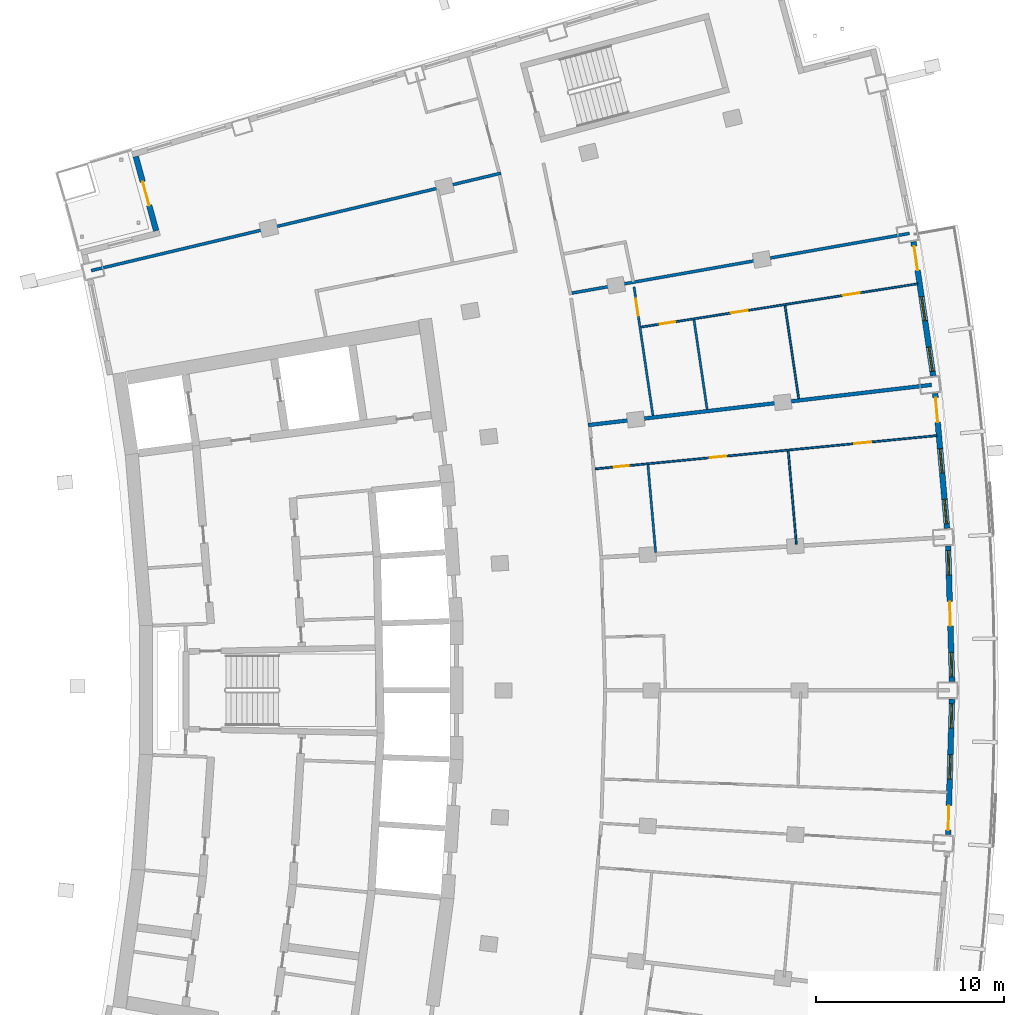
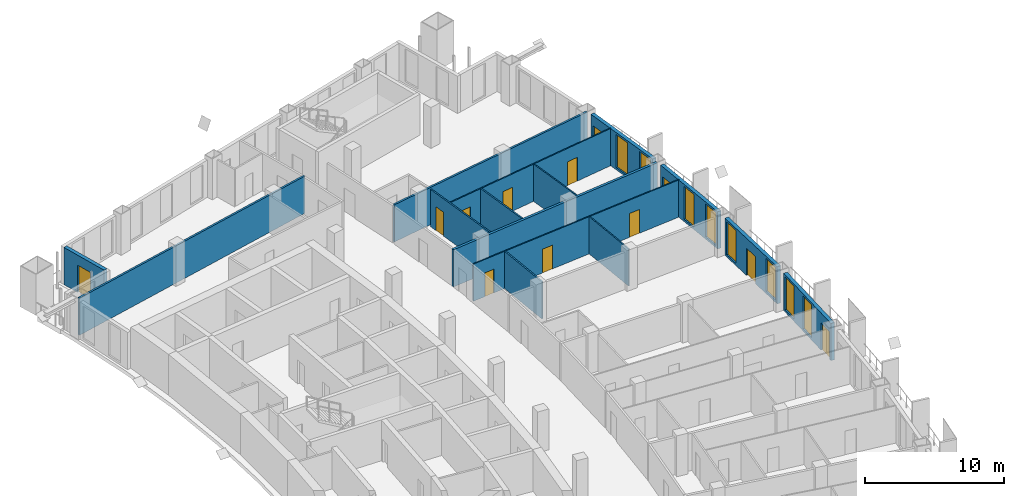
# One storey, part 15 of 20: 15 walls, 12 doors, 8 windows, 20 openings.
"""IFC4 building model written with IfcOpenShell, lengths in metres."""

from ifc_helpers import new_model, si_unit, direction, frame, frame_2d, origin, place, context, subcontext, project, spatial, rectangle, extrude, material, layer, layer_set, type_object, element, fill, save


model = new_model("IFC4")

# Units and contexts
model_context = context("Model", 3, precision=1e-05, world=origin(), true_north=direction((0.0, 1.0)))
body_context = subcontext(model_context, "Body", "Model", "MODEL_VIEW")
ifc_project = project(units=[si_unit("LENGTHUNIT", "METRE"), si_unit("AREAUNIT", "SQUARE_METRE"), si_unit("VOLUMEUNIT", "CUBIC_METRE"), si_unit("PLANEANGLEUNIT", "RADIAN"), si_unit("MASSUNIT", "GRAM", prefix="KILO")], contexts=[model_context])

# Site, building, storey
site_placement = place(None, origin())
site = spatial("IfcSite", under=ifc_project, at=site_placement, CompositionType="ELEMENT")
building_placement = place(site_placement, origin())
building = spatial("IfcBuilding", under=site, at=building_placement, Name="Alderwake Tower", CompositionType="ELEMENT")
storey_placement = place(building_placement, frame((0.0, 0.0, 167.60009765625)))
storey = spatial("IfcBuildingStorey", under=building, at=storey_placement, Name="L41", CompositionType="ELEMENT", Elevation=167.60009765625)

# Walls
ifc_material_1 = material(Name="Gypsum board on metal studs, rated")
ifc_layer_1 = layer(ifc_material_1, 0.159912109375)
ifc_layer_set_1 = layer_set([ifc_layer_1], Name="Corridor wall 160")
wall_type_1 = type_object("IfcWallType", Name="Corridor wall 160", PredefinedType="PARTITIONING", material=ifc_layer_set_1)
wall_1_placement = place(storey_placement, frame((13.884033203125, 83.31298828125, 0.0), z_axis=(0.0, 0.0, 1.0), x_axis=(0.972893462073, 0.231253781493, 0.0)))
element("IfcWall", 1, at=wall_1_placement, inside=storey, type_object=wall_type_1, Name="WL/L41/W11", PredefinedType="PARTITIONING", context=body_context, shape_type="SweptSolid", body=[
    extrude(rectangle(XDim=22.38037109375, YDim=0.159912109375, at=frame_2d((11.190185546875, 0.0))), origin(), (0.0, 0.0, 1.0), 3.27978515625),
])
wall_2_placement = place(storey_placement, frame((57.368896484375, 85.287109375, 0.0), z_axis=(0.0, 0.0, 1.0), x_axis=(-0.984728473355, -0.174097196314, 0.0)))
element("IfcWall", 2, at=wall_2_placement, inside=storey, type_object=wall_type_1, Name="WL/L41/W28", PredefinedType="PARTITIONING", context=body_context, shape_type="SweptSolid", body=[
    extrude(rectangle(XDim=18.220458984375, YDim=0.159912109375, at=frame_2d((9.1103515625, 0.0))), origin(), (0.0, 0.0, 1.0), 3.27978515625),
])

# Wall, openings, door, windows
ifc_material_2 = material(Name="Precast concrete C50/60 spandrel panel", Category="concrete")
ifc_layer_2 = layer(ifc_material_2, 0.300048828125)
ifc_layer_set_2 = layer_set([ifc_layer_2], Name="External wall EW1 Precast concrete C50/60 spandrel")
wall_type_2 = type_object("IfcWallType", Name="External wall EW1 Precast concrete C50/60 spandrel", PredefinedType="SOLIDWALL", material=ifc_layer_set_2)
wall_3_placement = place(storey_placement, frame((59.42626953125, 53.331298828125, 0.0), z_axis=(0.0, 0.0, 1.0), x_axis=(0.029165845971, 0.999574586226, 0.0)))
wall_3 = element("IfcWall", 3, at=wall_3_placement, inside=storey, type_object=wall_type_2, Name="External wall 15", PredefinedType="SOLIDWALL", context=body_context, shape_type="SweptSolid", body=[
    extrude(rectangle(XDim=7.198974609375, YDim=0.300048828125, at=frame_2d((3.599609375, 0.0))), origin(), (0.0, 0.0, 1.0), 3.27978515625),
])
opening_1_placement = place(wall_3_placement, frame((0.2392578125, 0.0, 0.0)))
opening_1 = element("IfcOpeningElement", 4, at=opening_1_placement, cuts=wall_3, Name="Opening D05", PredefinedType="OPENING", context=body_context, shape_type="SweptSolid", body=[
    extrude(rectangle(XDim=1.300048828125, YDim=2.39990234375, at=frame_2d((0.64990234375, 1.199951171875))), frame((0.0, 0.159912109375, 0.0), z_axis=(0.0, -1.0, 0.0), x_axis=(1.0, 0.0, 0.0)), (0.0, 0.0, 1.0), 0.320068359375),
])
opening_2_placement = place(wall_3_placement, frame((2.949462890625, 0.0, 0.199951171875)))
opening_2 = element("IfcOpeningElement", 5, at=opening_2_placement, cuts=wall_3, Name="Opening W1", PredefinedType="OPENING", context=body_context, shape_type="SweptSolid", body=[
    extrude(rectangle(XDim=1.300048828125, YDim=2.89990234375, at=frame_2d((0.64990234375, 1.449951171875))), frame((0.0, 0.159912109375, 0.0), z_axis=(0.0, -1.0, 0.0), x_axis=(1.0, 0.0, 0.0)), (0.0, 0.0, 1.0), 0.320068359375),
])
opening_3_placement = place(wall_3_placement, frame((5.65966796875, 0.0, 0.199951171875)))
opening_3 = element("IfcOpeningElement", 6, at=opening_3_placement, cuts=wall_3, Name="Opening W1", PredefinedType="OPENING", context=body_context, shape_type="SweptSolid", body=[
    extrude(rectangle(XDim=1.300048828125, YDim=2.89990234375, at=frame_2d((0.64990234375, 1.449951171875))), frame((0.0, 0.159912109375, 0.0), z_axis=(0.0, -1.0, 0.0), x_axis=(1.0, 0.0, 0.0)), (0.0, 0.0, 1.0), 0.320068359375),
])
ifc_material_3 = material(Name="Bronze tinted glass in aluminium frame", Category="aluminium")
door_type_1 = type_object("IfcDoorType", Name="Balcony door BD sliding", OperationType="SLIDING_TO_LEFT", PredefinedType="DOOR", material=ifc_material_3)
door_1_placement = place(opening_1_placement, origin())
door_1 = element("IfcDoor", 7, at=door_1_placement, inside=storey, type_object=door_type_1, Name="Door D05", OperationType="SLIDING_TO_LEFT", OverallHeight=2.39990234375, OverallWidth=1.300048828125, PredefinedType="DOOR", context=body_context, shape_type="SweptSolid", body=[
    extrude(rectangle(XDim=1.300048828125, YDim=2.39990234375, at=frame_2d((0.64990234375, 1.199951171875))), frame((0.0, 0.02490234375, 0.0), z_axis=(0.0, -1.0, 0.0), x_axis=(1.0, 0.0, 0.0)), (0.0, 0.0, 1.0), 0.050048828125),
])
fill(opening_1, door_1)
ifc_material_4 = material(Name="Bronze tinted glass in aluminium frame", Category="aluminium")
window_type = type_object("IfcWindowType", Name="Window W1 tall fixed and vent", PartitioningType="DOUBLE_PANEL_VERTICAL", PredefinedType="WINDOW", material=ifc_material_4)
window_1_placement = place(opening_2_placement, origin())
window_1 = element("IfcWindow", 8, at=window_1_placement, inside=storey, type_object=window_type, Name="Window W1 tall fixed and vent", OverallHeight=2.89990234375, OverallWidth=1.300048828125, PartitioningType="DOUBLE_PANEL_VERTICAL", PredefinedType="WINDOW", context=body_context, shape_type="SweptSolid", body=[
    extrude(rectangle(XDim=1.300048828125, YDim=2.89990234375, at=frame_2d((0.64990234375, 1.449951171875))), frame((0.0, 0.030029296875, 0.0), z_axis=(0.0, -1.0, 0.0), x_axis=(1.0, 0.0, 0.0)), (0.0, 0.0, 1.0), 0.06005859375),
])
fill(opening_2, window_1)
window_2_placement = place(opening_3_placement, origin())
window_2 = element("IfcWindow", 9, at=window_2_placement, inside=storey, type_object=window_type, Name="Window W1 tall fixed and vent", OverallHeight=2.89990234375, OverallWidth=1.300048828125, PartitioningType="DOUBLE_PANEL_VERTICAL", PredefinedType="WINDOW", context=body_context, shape_type="SweptSolid", body=[
    extrude(rectangle(XDim=1.300048828125, YDim=2.89990234375, at=frame_2d((0.64990234375, 1.449951171875))), frame((0.0, 0.030029296875, 0.0), z_axis=(0.0, -1.0, 0.0), x_axis=(1.0, 0.0, 0.0)), (0.0, 0.0, 1.0), 0.06005859375),
])
fill(opening_3, window_2)

wall_4_placement = place(storey_placement, frame((59.63623046875, 61.472900390625, 0.0), z_axis=(0.0, 0.0, 1.0), x_axis=(-0.029165845971, 0.999574586226, 0.0)))
wall_4 = element("IfcWall", 10, at=wall_4_placement, inside=storey, type_object=wall_type_2, Name="External wall 16", PredefinedType="SOLIDWALL", context=body_context, shape_type="SweptSolid", body=[
    extrude(rectangle(XDim=7.198974609375, YDim=0.300048828125, at=frame_2d((3.599609375, 0.0))), origin(), (0.0, 0.0, 1.0), 3.27978515625),
])
opening_4_placement = place(wall_4_placement, frame((0.2392578125, 0.0, 0.199951171875)))
opening_4 = element("IfcOpeningElement", 11, at=opening_4_placement, cuts=wall_4, Name="Opening W1", PredefinedType="OPENING", context=body_context, shape_type="SweptSolid", body=[
    extrude(rectangle(XDim=1.300048828125, YDim=2.89990234375, at=frame_2d((0.64990234375, 1.449951171875))), frame((0.0, 0.159912109375, 0.0), z_axis=(0.0, -1.0, 0.0), x_axis=(1.0, 0.0, 0.0)), (0.0, 0.0, 1.0), 0.320068359375),
])
opening_5_placement = place(wall_4_placement, frame((2.949462890625, 0.0, 0.0)))
opening_5 = element("IfcOpeningElement", 12, at=opening_5_placement, cuts=wall_4, Name="Opening D06", PredefinedType="OPENING", context=body_context, shape_type="SweptSolid", body=[
    extrude(rectangle(XDim=1.300048828125, YDim=2.39990234375, at=frame_2d((0.64990234375, 1.199951171875))), frame((0.0, 0.159912109375, 0.0), z_axis=(0.0, -1.0, 0.0), x_axis=(1.0, 0.0, 0.0)), (0.0, 0.0, 1.0), 0.320068359375),
])
opening_6_placement = place(wall_4_placement, frame((5.65966796875, 0.0, 0.199951171875)))
opening_6 = element("IfcOpeningElement", 13, at=opening_6_placement, cuts=wall_4, Name="Opening W1", PredefinedType="OPENING", context=body_context, shape_type="SweptSolid", body=[
    extrude(rectangle(XDim=1.300048828125, YDim=2.89990234375, at=frame_2d((0.64990234375, 1.449951171875))), frame((0.0, 0.159912109375, 0.0), z_axis=(0.0, -1.0, 0.0), x_axis=(1.0, 0.0, 0.0)), (0.0, 0.0, 1.0), 0.320068359375),
])
door_2_placement = place(opening_5_placement, origin())
door_2 = element("IfcDoor", 14, at=door_2_placement, inside=storey, type_object=door_type_1, Name="Door D06", OperationType="SLIDING_TO_LEFT", OverallHeight=2.39990234375, OverallWidth=1.300048828125, PredefinedType="DOOR", context=body_context, shape_type="SweptSolid", body=[
    extrude(rectangle(XDim=1.300048828125, YDim=2.39990234375, at=frame_2d((0.64990234375, 1.199951171875))), frame((0.0, 0.02490234375, 0.0), z_axis=(0.0, -1.0, 0.0), x_axis=(1.0, 0.0, 0.0)), (0.0, 0.0, 1.0), 0.050048828125),
])
fill(opening_5, door_2)
window_3_placement = place(opening_4_placement, origin())
window_3 = element("IfcWindow", 15, at=window_3_placement, inside=storey, type_object=window_type, Name="Window W1 tall fixed and vent", OverallHeight=2.89990234375, OverallWidth=1.300048828125, PartitioningType="DOUBLE_PANEL_VERTICAL", PredefinedType="WINDOW", context=body_context, shape_type="SweptSolid", body=[
    extrude(rectangle(XDim=1.300048828125, YDim=2.89990234375, at=frame_2d((0.64990234375, 1.449951171875))), frame((0.0, 0.030029296875, 0.0), z_axis=(0.0, -1.0, 0.0), x_axis=(1.0, 0.0, 0.0)), (0.0, 0.0, 1.0), 0.06005859375),
])
fill(opening_4, window_3)
window_4_placement = place(opening_6_placement, origin())
window_4 = element("IfcWindow", 16, at=window_4_placement, inside=storey, type_object=window_type, Name="Window W1 tall fixed and vent", OverallHeight=2.89990234375, OverallWidth=1.300048828125, PartitioningType="DOUBLE_PANEL_VERTICAL", PredefinedType="WINDOW", context=body_context, shape_type="SweptSolid", body=[
    extrude(rectangle(XDim=1.300048828125, YDim=2.89990234375, at=frame_2d((0.64990234375, 1.449951171875))), frame((0.0, 0.030029296875, 0.0), z_axis=(0.0, -1.0, 0.0), x_axis=(1.0, 0.0, 0.0)), (0.0, 0.0, 1.0), 0.06005859375),
])
fill(opening_6, window_4)

wall_5_placement = place(storey_placement, frame((59.37109375, 69.613037109375, 0.0), z_axis=(0.0, 0.0, 1.0), x_axis=(-0.087397918497, 0.996173480797, 0.0)))
wall_5 = element("IfcWall", 17, at=wall_5_placement, inside=storey, type_object=wall_type_2, Name="External wall 17", PredefinedType="SOLIDWALL", context=body_context, shape_type="SweptSolid", body=[
    extrude(rectangle(XDim=7.19873046875, YDim=0.300048828125, at=frame_2d((3.599365234375, 0.0))), origin(), (0.0, 0.0, 1.0), 3.27978515625),
])
opening_7_placement = place(wall_5_placement, frame((0.2392578125, 0.0, 0.199951171875)))
opening_7 = element("IfcOpeningElement", 18, at=opening_7_placement, cuts=wall_5, Name="Opening W1", PredefinedType="OPENING", context=body_context, shape_type="SweptSolid", body=[
    extrude(rectangle(XDim=1.300048828125, YDim=2.89990234375, at=frame_2d((0.64990234375, 1.449951171875))), frame((0.0, 0.159912109375, 0.0), z_axis=(0.0, -1.0, 0.0), x_axis=(1.0, 0.0, 0.0)), (0.0, 0.0, 1.0), 0.320068359375),
])
opening_8_placement = place(wall_5_placement, frame((2.949462890625, 0.0, 0.199951171875)))
opening_8 = element("IfcOpeningElement", 19, at=opening_8_placement, cuts=wall_5, Name="Opening W1", PredefinedType="OPENING", context=body_context, shape_type="SweptSolid", body=[
    extrude(rectangle(XDim=1.300048828125, YDim=2.89990234375, at=frame_2d((0.64990234375, 1.449951171875))), frame((0.0, 0.159912109375, 0.0), z_axis=(0.0, -1.0, 0.0), x_axis=(1.0, 0.0, 0.0)), (0.0, 0.0, 1.0), 0.320068359375),
])
opening_9_placement = place(wall_5_placement, frame((5.65966796875, 0.0, 0.0)))
opening_9 = element("IfcOpeningElement", 20, at=opening_9_placement, cuts=wall_5, Name="Opening D07", PredefinedType="OPENING", context=body_context, shape_type="SweptSolid", body=[
    extrude(rectangle(XDim=1.300048828125, YDim=2.39990234375, at=frame_2d((0.64990234375, 1.199951171875))), frame((0.0, 0.159912109375, 0.0), z_axis=(0.0, -1.0, 0.0), x_axis=(1.0, 0.0, 0.0)), (0.0, 0.0, 1.0), 0.320068359375),
])
door_3_placement = place(opening_9_placement, origin())
door_3 = element("IfcDoor", 21, at=door_3_placement, inside=storey, type_object=door_type_1, Name="Door D07", OperationType="SLIDING_TO_LEFT", OverallHeight=2.39990234375, OverallWidth=1.300048828125, PredefinedType="DOOR", context=body_context, shape_type="SweptSolid", body=[
    extrude(rectangle(XDim=1.300048828125, YDim=2.39990234375, at=frame_2d((0.64990234375, 1.199951171875))), frame((0.0, 0.02490234375, 0.0), z_axis=(0.0, -1.0, 0.0), x_axis=(1.0, 0.0, 0.0)), (0.0, 0.0, 1.0), 0.050048828125),
])
fill(opening_9, door_3)
window_5_placement = place(opening_7_placement, origin())
window_5 = element("IfcWindow", 22, at=window_5_placement, inside=storey, type_object=window_type, Name="Window W1 tall fixed and vent", OverallHeight=2.89990234375, OverallWidth=1.300048828125, PartitioningType="DOUBLE_PANEL_VERTICAL", PredefinedType="WINDOW", context=body_context, shape_type="SweptSolid", body=[
    extrude(rectangle(XDim=1.300048828125, YDim=2.89990234375, at=frame_2d((0.64990234375, 1.449951171875))), frame((0.0, 0.030029296875, 0.0), z_axis=(0.0, -1.0, 0.0), x_axis=(1.0, 0.0, 0.0)), (0.0, 0.0, 1.0), 0.06005859375),
])
fill(opening_7, window_5)
window_6_placement = place(opening_8_placement, origin())
window_6 = element("IfcWindow", 23, at=window_6_placement, inside=storey, type_object=window_type, Name="Window W1 tall fixed and vent", OverallHeight=2.89990234375, OverallWidth=1.300048828125, PartitioningType="DOUBLE_PANEL_VERTICAL", PredefinedType="WINDOW", context=body_context, shape_type="SweptSolid", body=[
    extrude(rectangle(XDim=1.300048828125, YDim=2.89990234375, at=frame_2d((0.64990234375, 1.449951171875))), frame((0.0, 0.030029296875, 0.0), z_axis=(0.0, -1.0, 0.0), x_axis=(1.0, 0.0, 0.0)), (0.0, 0.0, 1.0), 0.06005859375),
])
fill(opening_8, window_6)

wall_6_placement = place(storey_placement, frame((58.6318359375, 77.7236328125, 0.0), z_axis=(0.0, 0.0, 1.0), x_axis=(-0.145318248107, 0.989384963888, 0.0)))
wall_6 = element("IfcWall", 24, at=wall_6_placement, inside=storey, type_object=wall_type_2, Name="External wall 18", PredefinedType="SOLIDWALL", context=body_context, shape_type="SweptSolid", body=[
    extrude(rectangle(XDim=7.198974609375, YDim=0.300048828125, at=frame_2d((3.599609375, 0.0))), origin(), (0.0, 0.0, 1.0), 3.27978515625),
])
opening_10_placement = place(wall_6_placement, frame((0.2392578125, 0.0, 0.199951171875)))
opening_10 = element("IfcOpeningElement", 25, at=opening_10_placement, cuts=wall_6, Name="Opening W1", PredefinedType="OPENING", context=body_context, shape_type="SweptSolid", body=[
    extrude(rectangle(XDim=1.300048828125, YDim=2.89990234375, at=frame_2d((0.64990234375, 1.449951171875))), frame((0.0, 0.159912109375, 0.0), z_axis=(0.0, -1.0, 0.0), x_axis=(1.0, 0.0, 0.0)), (0.0, 0.0, 1.0), 0.320068359375),
])
opening_11_placement = place(wall_6_placement, frame((2.949462890625, 0.0, 0.199951171875)))
opening_11 = element("IfcOpeningElement", 26, at=opening_11_placement, cuts=wall_6, Name="Opening W1", PredefinedType="OPENING", context=body_context, shape_type="SweptSolid", body=[
    extrude(rectangle(XDim=1.300048828125, YDim=2.89990234375, at=frame_2d((0.64990234375, 1.449951171875))), frame((0.0, 0.159912109375, 0.0), z_axis=(0.0, -1.0, 0.0), x_axis=(1.0, 0.0, 0.0)), (0.0, 0.0, 1.0), 0.320068359375),
])
opening_12_placement = place(wall_6_placement, frame((5.65966796875, 0.0, 0.0)))
opening_12 = element("IfcOpeningElement", 27, at=opening_12_placement, cuts=wall_6, Name="Opening D08", PredefinedType="OPENING", context=body_context, shape_type="SweptSolid", body=[
    extrude(rectangle(XDim=1.300048828125, YDim=2.39990234375, at=frame_2d((0.64990234375, 1.199951171875))), frame((0.0, 0.159912109375, 0.0), z_axis=(0.0, -1.0, 0.0), x_axis=(1.0, 0.0, 0.0)), (0.0, 0.0, 1.0), 0.320068359375),
])
door_4_placement = place(opening_12_placement, origin())
door_4 = element("IfcDoor", 28, at=door_4_placement, inside=storey, type_object=door_type_1, Name="Door D08", OperationType="SLIDING_TO_LEFT", OverallHeight=2.39990234375, OverallWidth=1.300048828125, PredefinedType="DOOR", context=body_context, shape_type="SweptSolid", body=[
    extrude(rectangle(XDim=1.300048828125, YDim=2.39990234375, at=frame_2d((0.64990234375, 1.199951171875))), frame((0.0, 0.02490234375, 0.0), z_axis=(0.0, -1.0, 0.0), x_axis=(1.0, 0.0, 0.0)), (0.0, 0.0, 1.0), 0.050048828125),
])
fill(opening_12, door_4)
window_7_placement = place(opening_10_placement, origin())
window_7 = element("IfcWindow", 29, at=window_7_placement, inside=storey, type_object=window_type, Name="Window W1 tall fixed and vent", OverallHeight=2.89990234375, OverallWidth=1.300048828125, PartitioningType="DOUBLE_PANEL_VERTICAL", PredefinedType="WINDOW", context=body_context, shape_type="SweptSolid", body=[
    extrude(rectangle(XDim=1.300048828125, YDim=2.89990234375, at=frame_2d((0.64990234375, 1.449951171875))), frame((0.0, 0.030029296875, 0.0), z_axis=(0.0, -1.0, 0.0), x_axis=(1.0, 0.0, 0.0)), (0.0, 0.0, 1.0), 0.06005859375),
])
fill(opening_10, window_7)
window_8_placement = place(opening_11_placement, origin())
window_8 = element("IfcWindow", 30, at=window_8_placement, inside=storey, type_object=window_type, Name="Window W1 tall fixed and vent", OverallHeight=2.89990234375, OverallWidth=1.300048828125, PartitioningType="DOUBLE_PANEL_VERTICAL", PredefinedType="WINDOW", context=body_context, shape_type="SweptSolid", body=[
    extrude(rectangle(XDim=1.300048828125, YDim=2.89990234375, at=frame_2d((0.64990234375, 1.449951171875))), frame((0.0, 0.030029296875, 0.0), z_axis=(0.0, -1.0, 0.0), x_axis=(1.0, 0.0, 0.0)), (0.0, 0.0, 1.0), 0.06005859375),
])
fill(opening_11, window_8)

# Wall, opening, door
ifc_material_5 = material(Name="Bronze metal cladding on lightweight framing")
ifc_layer_3 = layer(ifc_material_5, 0.300048828125)
ifc_layer_set_3 = layer_set([ifc_layer_3], Name="External wall EW2 bronze metal cladding")
wall_type_3 = type_object("IfcWallType", Name="External wall EW2 bronze metal cladding", PredefinedType="SOLIDWALL", material=ifc_layer_set_3)
wall_7_placement = place(storey_placement, frame((16.248779296875, 89.374755859375, 0.0), z_axis=(0.0, 0.0, 1.0), x_axis=(0.264607053468, -0.964356317579, 0.0)))
wall_7 = element("IfcWall", 31, at=wall_7_placement, inside=storey, type_object=wall_type_3, Name="External wall 28", PredefinedType="SOLIDWALL", context=body_context, shape_type="SweptSolid", body=[
    extrude(rectangle(XDim=4.090087890625, YDim=0.300048828125, at=frame_2d((2.044921875, 0.0))), origin(), (0.0, 0.0, 1.0), 3.27978515625),
])
opening_13_placement = place(wall_7_placement, frame((1.39501953125, 0.0, 0.0)))
opening_13 = element("IfcOpeningElement", 32, at=opening_13_placement, cuts=wall_7, Name="Opening D09", PredefinedType="OPENING", context=body_context, shape_type="SweptSolid", body=[
    extrude(rectangle(XDim=1.300048828125, YDim=2.39990234375, at=frame_2d((0.64990234375, 1.199951171875))), frame((0.0, 0.159912109375, 0.0), z_axis=(0.0, -1.0, 0.0), x_axis=(1.0, 0.0, 0.0)), (0.0, 0.0, 1.0), 0.320068359375),
])
door_5_placement = place(opening_13_placement, origin())
door_5 = element("IfcDoor", 33, at=door_5_placement, inside=storey, type_object=door_type_1, Name="Door D09", OperationType="SLIDING_TO_LEFT", OverallHeight=2.39990234375, OverallWidth=1.300048828125, PredefinedType="DOOR", context=body_context, shape_type="SweptSolid", body=[
    extrude(rectangle(XDim=1.300048828125, YDim=2.39990234375, at=frame_2d((0.64990234375, 1.199951171875))), frame((0.0, 0.02490234375, 0.0), z_axis=(0.0, -1.0, 0.0), x_axis=(1.0, 0.0, 0.0)), (0.0, 0.0, 1.0), 0.050048828125),
])
fill(opening_13, door_5)

# Wall
ifc_material_6 = material(Name="Dense block masonry wall", Category="masonry")
ifc_layer_4 = layer(ifc_material_6, 0.199951171875)
ifc_layer_set_4 = layer_set([ifc_layer_4], Name="Party wall 200")
wall_type_4 = type_object("IfcWallType", Name="Party wall 200", PredefinedType="SOLIDWALL", material=ifc_layer_set_4)
wall_8_placement = place(storey_placement, frame((40.297607421875, 75.0986328125, 0.0), z_axis=(0.0, 0.0, 1.0), x_axis=(0.993201379806, 0.116408844812, 0.0)))
element("IfcWall", 34, at=wall_8_placement, inside=storey, type_object=wall_type_4, Name="WL/L41/W02", PredefinedType="SOLIDWALL", context=body_context, shape_type="SweptSolid", body=[
    extrude(rectangle(XDim=18.37841796875, YDim=0.199951171875, at=frame_2d((9.189208984375, 0.0))), origin(), (0.0, 0.0, 1.0), 3.27978515625),
])

# Wall, openings, doors
ifc_material_7 = material(Name="Gypsum board on metal studs")
ifc_layer_5 = layer(ifc_material_7, 0.10009765625)
ifc_layer_set_5 = layer_set([ifc_layer_5], Name="Unit partition 100")
wall_type_5 = type_object("IfcWallType", Name="Unit partition 100", PredefinedType="PARTITIONING", material=ifc_layer_set_5)
wall_9_placement = place(storey_placement, frame((58.839111328125, 74.541015625, 0.0), z_axis=(0.0, 0.0, 1.0), x_axis=(-0.995286630544, -0.096976920246, 0.0)))
wall_9 = element("IfcWall", 35, at=wall_9_placement, inside=storey, type_object=wall_type_5, Name="WL/L41/W44", PredefinedType="PARTITIONING", context=body_context, shape_type="SweptSolid", body=[
    extrude(rectangle(XDim=18.2646484375, YDim=0.10009765625, at=frame_2d((9.13232421875, 0.0))), origin(), (0.0, 0.0, 1.0), 3.27978515625),
])
opening_14_placement = place(wall_9_placement, frame((11.247802734375, 0.0, 0.0)))
opening_14 = element("IfcOpeningElement", 36, at=opening_14_placement, cuts=wall_9, Name="Opening R11-U07.1", PredefinedType="OPENING", context=body_context, shape_type="SweptSolid", body=[
    extrude(rectangle(XDim=0.89990234375, YDim=2.10009765625, at=frame_2d((0.449951171875, 1.050048828125))), frame((0.0, 0.06005859375, 0.0), z_axis=(0.0, -1.0, 0.0), x_axis=(1.0, 0.0, 0.0)), (0.0, 0.0, 1.0), 0.1201171875),
])
opening_15_placement = place(wall_9_placement, frame((16.45458984375, 0.0, 0.0)))
opening_15 = element("IfcOpeningElement", 37, at=opening_15_placement, cuts=wall_9, Name="Opening R11-U07.3", PredefinedType="OPENING", context=body_context, shape_type="SweptSolid", body=[
    extrude(rectangle(XDim=0.800048828125, YDim=2.10009765625, at=frame_2d((0.39990234375, 1.050048828125))), frame((0.0, 0.06005859375, 0.0), z_axis=(0.0, -1.0, 0.0), x_axis=(1.0, 0.0, 0.0)), (0.0, 0.0, 1.0), 0.1201171875),
])
opening_16_placement = place(wall_9_placement, frame((3.526123046875, 0.0, 0.0)))
opening_16 = element("IfcOpeningElement", 38, at=opening_16_placement, cuts=wall_9, Name="Opening R11-U07.4", PredefinedType="OPENING", context=body_context, shape_type="SweptSolid", body=[
    extrude(rectangle(XDim=0.89990234375, YDim=2.10009765625, at=frame_2d((0.449951171875, 1.050048828125))), frame((0.0, 0.06005859375, 0.0), z_axis=(0.0, -1.0, 0.0), x_axis=(1.0, 0.0, 0.0)), (0.0, 0.0, 1.0), 0.1201171875),
])
ifc_material_8 = material(Name="Painted timber leaf", Category="wood")
door_type_2 = type_object("IfcDoorType", Name="Bathroom door 800", OperationType="SINGLE_SWING_LEFT", PredefinedType="DOOR", material=ifc_material_8)
door_6_placement = place(opening_15_placement, origin())
door_6 = element("IfcDoor", 39, at=door_6_placement, inside=storey, type_object=door_type_2, Name="DR/L41/U07.3", OperationType="SINGLE_SWING_LEFT", OverallHeight=2.10009765625, OverallWidth=0.800048828125, PredefinedType="DOOR", context=body_context, shape_type="SweptSolid", body=[
    extrude(rectangle(XDim=0.800048828125, YDim=2.10009765625, at=frame_2d((0.39990234375, 1.050048828125))), frame((0.0, 0.02490234375, 0.0), z_axis=(0.0, -1.0, 0.0), x_axis=(1.0, 0.0, 0.0)), (0.0, 0.0, 1.0), 0.050048828125),
])
fill(opening_15, door_6)
ifc_material_9 = material(Name="Painted timber leaf", Category="wood")
door_type_3 = type_object("IfcDoorType", Name="Room door 900", OperationType="SINGLE_SWING_LEFT", PredefinedType="DOOR", material=ifc_material_9)
door_7_placement = place(opening_14_placement, origin())
door_7 = element("IfcDoor", 40, at=door_7_placement, inside=storey, type_object=door_type_3, Name="DR/L41/U07.1", OperationType="SINGLE_SWING_LEFT", OverallHeight=2.10009765625, OverallWidth=0.89990234375, PredefinedType="DOOR", context=body_context, shape_type="SweptSolid", body=[
    extrude(rectangle(XDim=0.89990234375, YDim=2.10009765625, at=frame_2d((0.449951171875, 1.050048828125))), frame((0.0, 0.02490234375, 0.0), z_axis=(0.0, -1.0, 0.0), x_axis=(1.0, 0.0, 0.0)), (0.0, 0.0, 1.0), 0.050048828125),
])
fill(opening_14, door_7)
door_8_placement = place(opening_16_placement, origin())
door_8 = element("IfcDoor", 41, at=door_8_placement, inside=storey, type_object=door_type_3, Name="DR/L41/U07.4", OperationType="SINGLE_SWING_LEFT", OverallHeight=2.10009765625, OverallWidth=0.89990234375, PredefinedType="DOOR", context=body_context, shape_type="SweptSolid", body=[
    extrude(rectangle(XDim=0.89990234375, YDim=2.10009765625, at=frame_2d((0.449951171875, 1.050048828125))), frame((0.0, 0.02490234375, 0.0), z_axis=(0.0, -1.0, 0.0), x_axis=(1.0, 0.0, 0.0)), (0.0, 0.0, 1.0), 0.050048828125),
])
fill(opening_16, door_8)

wall_10_placement = place(storey_placement, frame((57.81298828125, 82.611083984375, 0.0), z_axis=(0.0, 0.0, 1.0), x_axis=(-0.987947676948, -0.154788202432, 0.0)))
wall_10 = element("IfcWall", 42, at=wall_10_placement, inside=storey, type_object=wall_type_5, Name="WL/L41/W47", PredefinedType="PARTITIONING", context=body_context, shape_type="SweptSolid", body=[
    extrude(rectangle(XDim=14.883056640625, YDim=0.10009765625, at=frame_2d((7.44140625, 0.0))), origin(), (0.0, 0.0, 1.0), 3.27978515625),
])
opening_17_placement = place(wall_10_placement, frame((9.147216796875, 0.0, 0.0)))
opening_17 = element("IfcOpeningElement", 43, at=opening_17_placement, cuts=wall_10, Name="Opening R11-U08.1", PredefinedType="OPENING", context=body_context, shape_type="SweptSolid", body=[
    extrude(rectangle(XDim=0.89990234375, YDim=2.10009765625, at=frame_2d((0.449951171875, 1.050048828125))), frame((0.0, 0.06005859375, 0.0), z_axis=(0.0, -1.0, 0.0), x_axis=(1.0, 0.0, 0.0)), (0.0, 0.0, 1.0), 0.1201171875),
])
opening_18_placement = place(wall_10_placement, frame((13.064208984375, 0.0, 0.0)))
opening_18 = element("IfcOpeningElement", 44, at=opening_18_placement, cuts=wall_10, Name="Opening R11-U08.4", PredefinedType="OPENING", context=body_context, shape_type="SweptSolid", body=[
    extrude(rectangle(XDim=0.800048828125, YDim=2.10009765625, at=frame_2d((0.39990234375, 1.050048828125))), frame((0.0, 0.06005859375, 0.0), z_axis=(0.0, -1.0, 0.0), x_axis=(1.0, 0.0, 0.0)), (0.0, 0.0, 1.0), 0.1201171875),
])
opening_19_placement = place(wall_10_placement, frame((3.124755859375, 0.0, 0.0)))
opening_19 = element("IfcOpeningElement", 45, at=opening_19_placement, cuts=wall_10, Name="Opening R11-U08.5", PredefinedType="OPENING", context=body_context, shape_type="SweptSolid", body=[
    extrude(rectangle(XDim=0.89990234375, YDim=2.10009765625, at=frame_2d((0.449951171875, 1.050048828125))), frame((0.0, 0.06005859375, 0.0), z_axis=(0.0, -1.0, 0.0), x_axis=(1.0, 0.0, 0.0)), (0.0, 0.0, 1.0), 0.1201171875),
])
door_9_placement = place(opening_18_placement, origin())
door_9 = element("IfcDoor", 46, at=door_9_placement, inside=storey, type_object=door_type_2, Name="DR/L41/U08.4", OperationType="SINGLE_SWING_LEFT", OverallHeight=2.10009765625, OverallWidth=0.800048828125, PredefinedType="DOOR", context=body_context, shape_type="SweptSolid", body=[
    extrude(rectangle(XDim=0.800048828125, YDim=2.10009765625, at=frame_2d((0.39990234375, 1.050048828125))), frame((0.0, 0.02490234375, 0.0), z_axis=(0.0, -1.0, 0.0), x_axis=(1.0, 0.0, 0.0)), (0.0, 0.0, 1.0), 0.050048828125),
])
fill(opening_18, door_9)
door_10_placement = place(opening_17_placement, origin())
door_10 = element("IfcDoor", 47, at=door_10_placement, inside=storey, type_object=door_type_3, Name="DR/L41/U08.1", OperationType="SINGLE_SWING_LEFT", OverallHeight=2.10009765625, OverallWidth=0.89990234375, PredefinedType="DOOR", context=body_context, shape_type="SweptSolid", body=[
    extrude(rectangle(XDim=0.89990234375, YDim=2.10009765625, at=frame_2d((0.449951171875, 1.050048828125))), frame((0.0, 0.02490234375, 0.0), z_axis=(0.0, -1.0, 0.0), x_axis=(1.0, 0.0, 0.0)), (0.0, 0.0, 1.0), 0.050048828125),
])
fill(opening_17, door_10)
door_11_placement = place(opening_19_placement, origin())
door_11 = element("IfcDoor", 48, at=door_11_placement, inside=storey, type_object=door_type_3, Name="DR/L41/U08.5", OperationType="SINGLE_SWING_LEFT", OverallHeight=2.10009765625, OverallWidth=0.89990234375, PredefinedType="DOOR", context=body_context, shape_type="SweptSolid", body=[
    extrude(rectangle(XDim=0.89990234375, YDim=2.10009765625, at=frame_2d((0.449951171875, 1.050048828125))), frame((0.0, 0.02490234375, 0.0), z_axis=(0.0, -1.0, 0.0), x_axis=(1.0, 0.0, 0.0)), (0.0, 0.0, 1.0), 0.050048828125),
])
fill(opening_19, door_11)

# Walls
wall_11_placement = place(storey_placement, frame((51.36328125, 68.772705078125, 0.0), z_axis=(0.0, 0.0, 1.0), x_axis=(-0.087352937881, 0.996177426086, 0.0)))
element("IfcWall", 49, at=wall_11_placement, inside=storey, type_object=wall_type_5, Name="WL/L41/W52", PredefinedType="PARTITIONING", context=body_context, shape_type="SweptSolid", body=[
    extrude(rectangle(XDim=4.966552734375, YDim=0.10009765625, at=frame_2d((2.4833984375, 0.0))), origin(), (0.0, 0.0, 1.0), 3.27978515625),
])
wall_12_placement = place(storey_placement, frame((51.4833984375, 76.509033203125, 0.0), z_axis=(0.0, 0.0, 1.0), x_axis=(-0.14506509727, 0.98942211293, 0.0)))
element("IfcWall", 50, at=wall_12_placement, inside=storey, type_object=wall_type_5, Name="WL/L41/W54", PredefinedType="PARTITIONING", context=body_context, shape_type="SweptSolid", body=[
    extrude(rectangle(XDim=4.99853515625, YDim=0.10009765625, at=frame_2d((2.499267578125, 0.0))), origin(), (0.0, 0.0, 1.0), 3.27978515625),
])

# Wall, opening, door
ifc_material_10 = material(Name="Moisture resistant gypsum board on metal studs")
ifc_layer_6 = layer(ifc_material_10, 0.1201171875)
ifc_layer_set_6 = layer_set([ifc_layer_6], Name="Wet room partition 120")
wall_type_6 = type_object("IfcWallType", Name="Wet room partition 120", PredefinedType="PARTITIONING", material=ifc_layer_set_6)
wall_13_placement = place(storey_placement, frame((42.732421875, 82.44775390625, 0.0), z_axis=(0.0, 0.0, 1.0), x_axis=(0.14528876176, -0.989389294316, 0.0)))
wall_13 = element("IfcWall", 51, at=wall_13_placement, inside=storey, type_object=wall_type_6, Name="WL/L41/W35", PredefinedType="PARTITIONING", context=body_context, shape_type="SweptSolid", body=[
    extrude(rectangle(XDim=6.918212890625, YDim=0.1201171875, at=frame_2d((3.458984375, 0.0))), origin(), (0.0, 0.0, 1.0), 3.27978515625),
])
opening_20_placement = place(wall_13_placement, frame((0.63671875, 0.0, 0.0)))
opening_20 = element("IfcOpeningElement", 52, at=opening_20_placement, cuts=wall_13, Name="Opening R11-U08.3", PredefinedType="OPENING", context=body_context, shape_type="SweptSolid", body=[
    extrude(rectangle(XDim=0.89990234375, YDim=2.10009765625, at=frame_2d((0.449951171875, 1.050048828125))), frame((0.0, 0.070068359375, 0.0), z_axis=(0.0, -1.0, 0.0), x_axis=(1.0, 0.0, 0.0)), (0.0, 0.0, 1.0), 0.14013671875),
])
door_12_placement = place(opening_20_placement, origin())
door_12 = element("IfcDoor", 53, at=door_12_placement, inside=storey, type_object=door_type_3, Name="DR/L41/U08.3", OperationType="SINGLE_SWING_LEFT", OverallHeight=2.10009765625, OverallWidth=0.89990234375, PredefinedType="DOOR", context=body_context, shape_type="SweptSolid", body=[
    extrude(rectangle(XDim=0.89990234375, YDim=2.10009765625, at=frame_2d((0.449951171875, 1.050048828125))), frame((0.0, 0.02490234375, 0.0), z_axis=(0.0, -1.0, 0.0), x_axis=(1.0, 0.0, 0.0)), (0.0, 0.0, 1.0), 0.050048828125),
])
fill(opening_20, door_12)

# Walls
wall_14_placement = place(storey_placement, frame((43.881103515625, 68.334716796875, 0.0), z_axis=(0.0, 0.0, 1.0), x_axis=(-0.087639255618, 0.996152277955, 0.0)))
element("IfcWall", 54, at=wall_14_placement, inside=storey, type_object=wall_type_6, Name="WL/L41/W37", PredefinedType="PARTITIONING", context=body_context, shape_type="SweptSolid", body=[
    extrude(rectangle(XDim=4.674560546875, YDim=0.1201171875, at=frame_2d((2.33740234375, 0.0))), origin(), (0.0, 0.0, 1.0), 3.27978515625),
])
wall_15_placement = place(storey_placement, frame((46.617431640625, 75.93896484375, 0.0), z_axis=(0.0, 0.0, 1.0), x_axis=(-0.145238137818, 0.989396726962, 0.0)))
element("IfcWall", 55, at=wall_15_placement, inside=storey, type_object=wall_type_6, Name="WL/L41/W42", PredefinedType="PARTITIONING", context=body_context, shape_type="SweptSolid", body=[
    extrude(rectangle(XDim=4.8076171875, YDim=0.1201171875, at=frame_2d((2.40380859375, 0.0))), origin(), (0.0, 0.0, 1.0), 3.27978515625),
])

save(model, "model.ifc")
